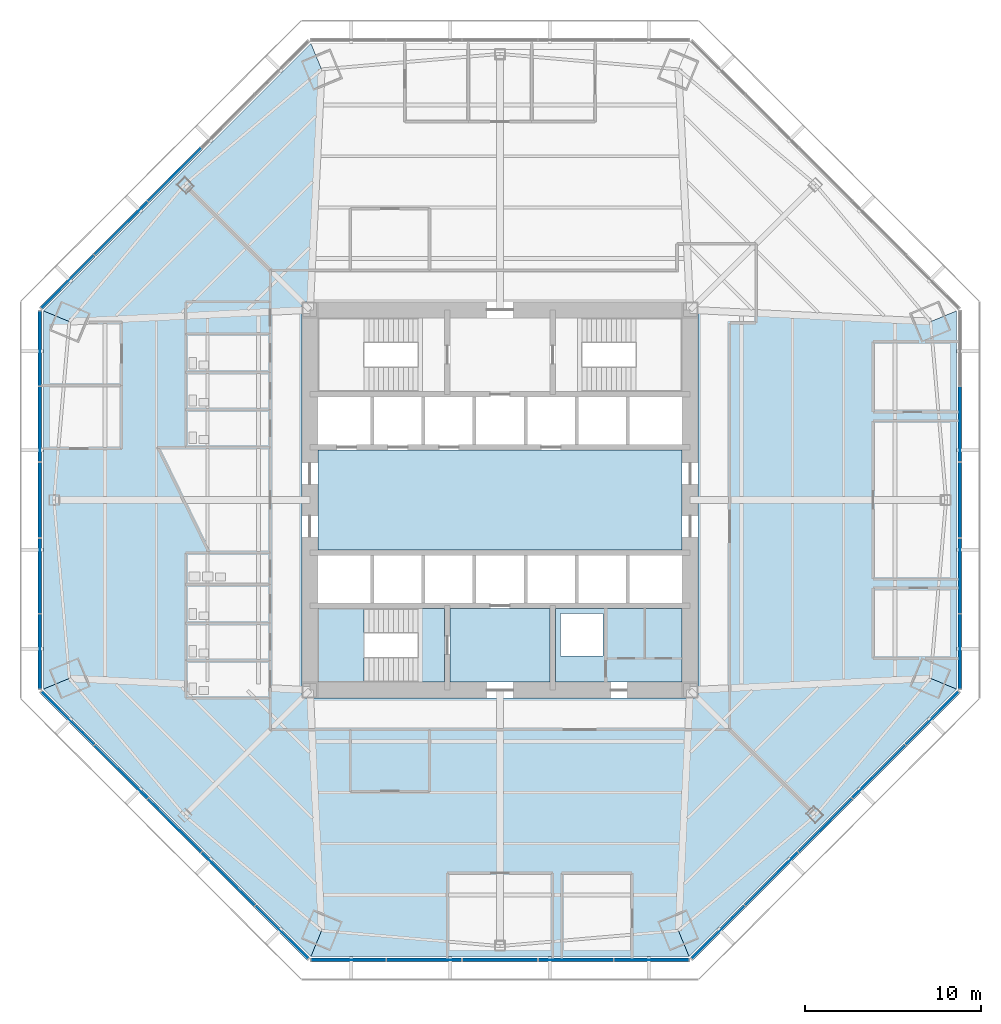
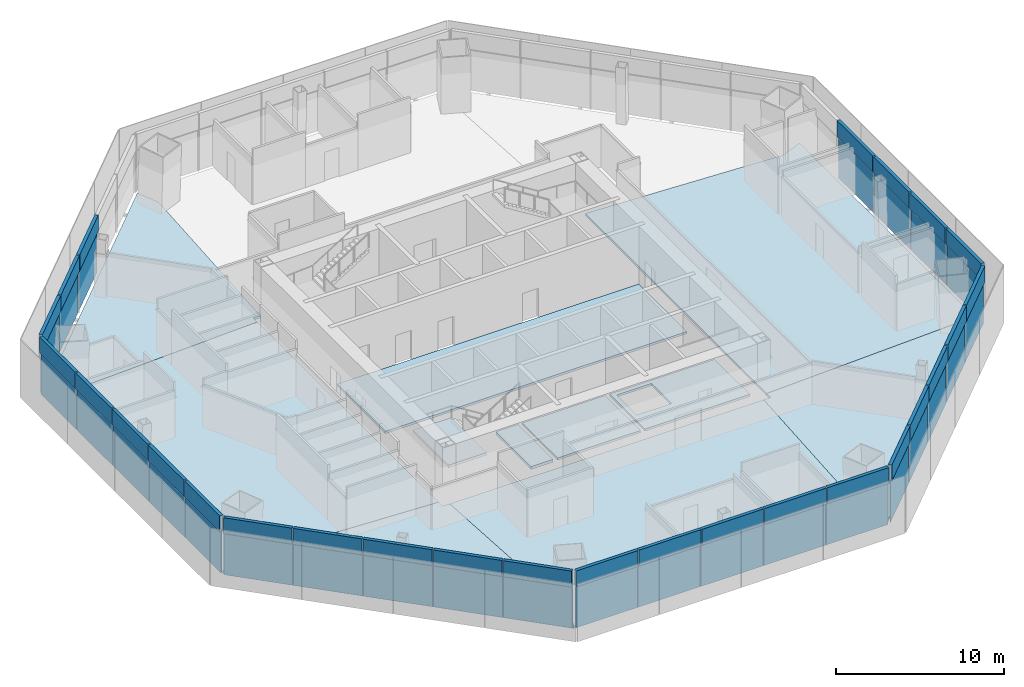
# One storey, part 7 of 15: 54 plates, 11 slabs, 7 elements without a shape of their own.
"""IFC4 building model written with IfcOpenShell, lengths in metres."""

from ifc_helpers import new_model, si_unit, direction, frame, origin, origin_2d, place, context, subcontext, project, spatial, polyline, rectangle, outline, extrude, source, transform, mapped, material, layer, layer_set, type_object, type_shapes, element, aggregate, save


model = new_model("IFC4")

# Units and contexts
model_context = context("Model", 3, precision=1e-05, world=origin(), true_north=direction((0.0, 1.0)))
body_context = subcontext(model_context, "Body", "Model", "MODEL_VIEW")
ifc_project = project(units=[si_unit("LENGTHUNIT", "METRE"), si_unit("AREAUNIT", "SQUARE_METRE"), si_unit("VOLUMEUNIT", "CUBIC_METRE"), si_unit("PLANEANGLEUNIT", "RADIAN"), si_unit("MASSUNIT", "GRAM", prefix="KILO")], contexts=[model_context])

# Site, building, storey
site_placement = place(None, origin())
site = spatial("IfcSite", under=ifc_project, at=site_placement, CompositionType="ELEMENT")
building_placement = place(site_placement, origin())
building = spatial("IfcBuilding", under=site, at=building_placement, Name="Mashrafa Tower", CompositionType="ELEMENT")
storey_placement = place(building_placement, frame((0.0, 0.0, 66.60009765625)))
storey = spatial("IfcBuildingStorey", under=building, at=storey_placement, Name="L14", CompositionType="ELEMENT", Elevation=66.60009765625)

# Slabs
ifc_material_1 = material(Name="Concrete C35/45", Category="concrete")
ifc_layer_1 = layer(ifc_material_1, 0.1650390625)
ifc_layer_set_1 = layer_set([ifc_layer_1], Name="Floor slab 165")
slab_type_1 = type_object("IfcSlabType", Name="Floor slab 165", PredefinedType="FLOOR", material=ifc_layer_set_1)
slab_1_placement = place(storey_placement, frame((0.0, 0.0, -0.1650390625)))
element("IfcSlab", 1, at=slab_1_placement, inside=storey, type_object=slab_type_1, Name="Floor slab L14 east bay", PredefinedType="FLOOR", context=body_context, shape_type="SweptSolid", body=[
    extrude(outline(polyline([(25.9306640625, -10.74072265625), (24.457275390625, -10.130615234375), (11.25, -10.77783203125), (11.25, 10.77783203125), (24.457275390625, 10.130615234375), (25.9306640625, 10.74072265625), (25.9306640625, -10.74072265625)])), origin(), (0.0, 0.0, 1.0), 0.1650390625),
])
slab_2_placement = place(storey_placement, frame((0.0, 0.0, -0.1650390625)))
element("IfcSlab", 2, at=slab_2_placement, inside=storey, type_object=slab_type_1, Name="Floor slab L14 north-west bay", PredefinedType="FLOOR", context=body_context, shape_type="SweptSolid", body=[
    extrude(outline(polyline([(-25.9306640625, 10.740966796875), (-10.740966796875, 25.9306640625), (-10.74072265625, 25.9306640625), (-10.130615234375, 24.457275390625), (-10.77783203125, 11.25), (-11.25, 11.25), (-11.25, 10.77783203125), (-24.457275390625, 10.130615234375), (-25.9306640625, 10.74072265625), (-25.9306640625, 10.740966796875)])), origin(), (0.0, 0.0, 1.0), 0.1650390625),
])
slab_3_placement = place(storey_placement, frame((0.0, 0.0, -0.1650390625)))
element("IfcSlab", 3, at=slab_3_placement, inside=storey, type_object=slab_type_1, Name="Floor slab L14 west bay", PredefinedType="FLOOR", context=body_context, shape_type="SweptSolid", body=[
    extrude(outline(polyline([(-25.9306640625, 10.74072265625), (-24.457275390625, 10.130615234375), (-11.25, 10.77783203125), (-11.25, -10.77783203125), (-24.457275390625, -10.130615234375), (-25.9306640625, -10.74072265625), (-25.9306640625, 10.74072265625)])), origin(), (0.0, 0.0, 1.0), 0.1650390625),
])
slab_4_placement = place(storey_placement, frame((0.0, 0.0, -0.1650390625)))
element("IfcSlab", 4, at=slab_4_placement, inside=storey, type_object=slab_type_1, Name="Floor slab L14 south-west bay", PredefinedType="FLOOR", context=body_context, shape_type="SweptSolid", body=[
    extrude(outline(polyline([(-10.740966796875, -25.9306640625), (-25.9306640625, -10.740966796875), (-25.9306640625, -10.74072265625), (-24.457275390625, -10.130615234375), (-11.25, -10.77783203125), (-11.25, -11.25), (-10.77783203125, -11.25), (-10.130615234375, -24.457275390625), (-10.74072265625, -25.9306640625), (-10.740966796875, -25.9306640625)])), origin(), (0.0, 0.0, 1.0), 0.1650390625),
])
slab_5_placement = place(storey_placement, frame((0.0, 0.0, -0.1650390625)))
element("IfcSlab", 5, at=slab_5_placement, inside=storey, type_object=slab_type_1, Name="Floor slab L14 south bay", PredefinedType="FLOOR", context=body_context, shape_type="SweptSolid", body=[
    extrude(outline(polyline([(-10.74072265625, -25.9306640625), (-10.130615234375, -24.457275390625), (-10.77783203125, -11.25), (10.77783203125, -11.25), (10.130615234375, -24.457275390625), (10.74072265625, -25.9306640625), (-10.74072265625, -25.9306640625)])), origin(), (0.0, 0.0, 1.0), 0.1650390625),
])
slab_6_placement = place(storey_placement, frame((0.0, 0.0, -0.1650390625)))
element("IfcSlab", 6, at=slab_6_placement, inside=storey, type_object=slab_type_1, Name="Floor slab L14 south-east bay", PredefinedType="FLOOR", context=body_context, shape_type="SweptSolid", body=[
    extrude(outline(polyline([(10.74072265625, -25.9306640625), (10.130615234375, -24.457275390625), (10.77783203125, -11.25), (11.25, -11.25), (11.25, -10.77783203125), (24.457275390625, -10.130615234375), (25.9306640625, -10.74072265625), (25.9306640625, -10.740966796875), (10.740966796875, -25.9306640625), (10.74072265625, -25.9306640625)])), origin(), (0.0, 0.0, 1.0), 0.1650390625),
])
slab_7_placement = place(storey_placement, frame((0.0, 0.0, -0.1650390625)))
element("IfcSlab", 7, at=slab_7_placement, inside=storey, type_object=slab_type_1, Name="Core floor lift hall L14", PredefinedType="FLOOR", context=body_context, shape_type="SweptSolid", body=[
    extrude(outline(polyline([(-10.35009765625, 2.85009765625), (10.35009765625, 2.85009765625), (10.35009765625, -2.85009765625), (-10.35009765625, -2.85009765625), (-10.35009765625, 2.85009765625)])), origin(), (0.0, 0.0, 1.0), 0.1650390625),
])
slab_8_placement = place(storey_placement, frame((0.0, 0.0, -0.1650390625)))
element("IfcSlab", 8, at=slab_8_placement, inside=storey, type_object=slab_type_1, Name="Core floor riser and electrical band L14", PredefinedType="FLOOR", context=body_context, shape_type="SweptSolid", body=[
    extrude(outline(polyline([(10.35009765625, -6.14990234375), (10.35009765625, -10.35009765625), (3.14990234375, -10.35009765625), (3.14990234375, -6.14990234375), (10.35009765625, -6.14990234375)]), holes=[polyline([(3.449951171875, -8.85009765625), (5.85009765625, -8.85009765625), (5.85009765625, -6.449951171875), (3.449951171875, -6.449951171875), (3.449951171875, -8.85009765625)])]), origin(), (0.0, 0.0, 1.0), 0.1650390625),
])
slab_9_placement = place(storey_placement, frame((0.0, 0.0, -0.1650390625)))
element("IfcSlab", 9, at=slab_9_placement, inside=storey, type_object=slab_type_1, Name="Core floor fire-fighting lobby south L14", PredefinedType="FLOOR", context=body_context, shape_type="SweptSolid", body=[
    extrude(outline(polyline([(2.85009765625, -6.14990234375), (2.85009765625, -10.35009765625), (-2.85009765625, -10.35009765625), (-2.85009765625, -6.14990234375), (2.85009765625, -6.14990234375)])), origin(), (0.0, 0.0, 1.0), 0.1650390625),
])

# Stair, slabs
ifc_material_2 = material(Name="Exit stair 1400")
stair_type = type_object("IfcStairType", Name="Exit stair 1400", PredefinedType="HALF_TURN_STAIR", material=ifc_material_2)
stair_placement = place(storey_placement, origin())
stair = element("IfcStair", 10, at=stair_placement, inside=storey, type_object=stair_type, Name="Stair S3 L14", PredefinedType="HALF_TURN_STAIR")
ifc_material_3 = material(Name="Concrete C32/40", Category="concrete")
ifc_layer_2 = layer(ifc_material_3, 0.199951171875)
ifc_layer_set_2 = layer_set([ifc_layer_2], Name="Stair landing 200")
slab_type_2 = type_object("IfcSlabType", Name="Stair landing 200", PredefinedType="LANDING", material=ifc_layer_set_2)
slab_10_placement = place(storey_placement, frame((0.0, 0.0, -0.2001953125)))
slab_10 = element("IfcSlab", 11, at=slab_10_placement, type_object=slab_type_2, Name="S3 landing 1", PredefinedType="LANDING", context=body_context, shape_type="SweptSolid", body=[
    extrude(outline(polyline([(-4.659912109375, -10.35009765625), (-3.14990234375, -10.35009765625), (-3.14990234375, -6.14990234375), (-4.659912109375, -6.14990234375), (-4.659912109375, -10.35009765625)])), origin(), (0.0, 0.0, 1.0), 0.2001953125),
])
slab_11_placement = place(storey_placement, frame((0.0, 0.0, 1.89990234375)))
slab_11 = element("IfcSlab", 12, at=slab_11_placement, type_object=slab_type_2, Name="S3 landing 2", PredefinedType="LANDING", context=body_context, shape_type="SweptSolid", body=[
    extrude(outline(polyline([(-10.35009765625, -10.35009765625), (-7.719970703125, -10.35009765625), (-7.719970703125, -6.14990234375), (-10.35009765625, -6.14990234375), (-10.35009765625, -10.35009765625)])), origin(), (0.0, 0.0, 1.0), 0.199951171875),
])
aggregate(stair, [slab_10, slab_11])

# Curtain wall, plate
ifc_material_4 = material(Name="Unitised aluminium curtain wall", Category="aluminium")
curtain_wall_type = type_object("IfcCurtainWallType", Name="Office curtain wall, zone 1 CW-A 200 deep", PredefinedType="NOTDEFINED", material=ifc_material_4)
curtain_wall_1_placement = place(storey_placement, origin())
curtain_wall_1 = element("IfcCurtainWall", 13, at=curtain_wall_1_placement, inside=storey, type_object=curtain_wall_type, Name="Office curtain wall, zone 1 L14 east", PredefinedType="NOTDEFINED")
ifc_material_5 = material(Name="Insulated double glazing, low-e, neutral", Category="glass")
ifc_layer_3 = layer(ifc_material_5, 0.028076171875)
ifc_layer_set_3 = layer_set([ifc_layer_3], Name="Vision panel CW-A 28")
plate_type_1 = type_object("IfcPlateType", Name="Vision panel CW-A 28", PredefinedType="CURTAIN_PANEL", material=ifc_layer_set_3)
shared_shape_1 = source(origin(), body_context, "Body", "SweptSolid", [
    extrude(rectangle(XDim=4.21142578125, YDim=0.028076171875, at=origin_2d()), origin(), (0.0, 0.0, 1.0), 2.9599609375),
])
plate_1_placement = place(storey_placement, frame((26.130615234375, -8.6015625, 0.0), z_axis=(0.0, 0.0, 1.0), x_axis=(0.0, 1.0, 0.0)))
plate_1 = element("IfcPlate", 14, at=plate_1_placement, type_object=plate_type_1, Name="CW-A vision panel 1", PredefinedType="CURTAIN_PANEL", context=body_context, shape_type="MappedRepresentation", body=[
    mapped(shared_shape_1, transform((0.0, 0.0, 0.0))),
])

curtain_wall_2_placement = place(storey_placement, origin())
curtain_wall_2 = element("IfcCurtainWall", 15, at=curtain_wall_2_placement, inside=storey, type_object=curtain_wall_type, Name="Office curtain wall, zone 1 L14 north-west", PredefinedType="NOTDEFINED")
plate_2_placement = place(storey_placement, frame((-24.559326171875, 12.39501953125, 0.0), z_axis=(0.0, 0.0, 1.0), x_axis=(-0.707106781187, -0.707106781187, 0.0)))
plate_2 = element("IfcPlate", 16, at=plate_2_placement, type_object=plate_type_1, Name="CW-A vision panel 5", PredefinedType="CURTAIN_PANEL", context=body_context, shape_type="MappedRepresentation", body=[
    mapped(shared_shape_1, transform((0.0, 0.0, 0.0))),
])

# Curtain wall, plates
curtain_wall_3_placement = place(storey_placement, origin())
curtain_wall_3 = element("IfcCurtainWall", 17, at=curtain_wall_3_placement, inside=storey, type_object=curtain_wall_type, Name="Office curtain wall, zone 1 L14 west", PredefinedType="NOTDEFINED")
plate_3_placement = place(storey_placement, frame((-26.130615234375, 8.6015625, 0.0), z_axis=(0.0, 0.0, 1.0), x_axis=(0.0, -1.0, 0.0)))
plate_3 = element("IfcPlate", 18, at=plate_3_placement, type_object=plate_type_1, Name="CW-A vision panel 1", PredefinedType="CURTAIN_PANEL", context=body_context, shape_type="MappedRepresentation", body=[
    mapped(shared_shape_1, transform((0.0, 0.0, 0.0))),
])
plate_4_placement = place(storey_placement, frame((-26.130615234375, -8.6015625, 0.0), z_axis=(0.0, 0.0, 1.0), x_axis=(0.0, -1.0, 0.0)))
plate_4 = element("IfcPlate", 19, at=plate_4_placement, type_object=plate_type_1, Name="CW-A vision panel 5", PredefinedType="CURTAIN_PANEL", context=body_context, shape_type="MappedRepresentation", body=[
    mapped(shared_shape_1, transform((0.0, 0.0, 0.0))),
])

curtain_wall_4_placement = place(storey_placement, origin())
curtain_wall_4 = element("IfcCurtainWall", 20, at=curtain_wall_4_placement, inside=storey, type_object=curtain_wall_type, Name="Office curtain wall, zone 1 L14 south-west", PredefinedType="NOTDEFINED")
plate_5_placement = place(storey_placement, frame((-24.559326171875, -12.39501953125, 0.0), z_axis=(0.0, 0.0, 1.0), x_axis=(0.707106781187, -0.707106781187, 0.0)))
plate_5 = element("IfcPlate", 21, at=plate_5_placement, type_object=plate_type_1, Name="CW-A vision panel 1", PredefinedType="CURTAIN_PANEL", context=body_context, shape_type="MappedRepresentation", body=[
    mapped(shared_shape_1, transform((0.0, 0.0, 0.0))),
])
plate_6_placement = place(storey_placement, frame((-12.39501953125, -24.559326171875, 0.0), z_axis=(0.0, 0.0, 1.0), x_axis=(0.707106781187, -0.707106781187, 0.0)))
plate_6 = element("IfcPlate", 22, at=plate_6_placement, type_object=plate_type_1, Name="CW-A vision panel 5", PredefinedType="CURTAIN_PANEL", context=body_context, shape_type="MappedRepresentation", body=[
    mapped(shared_shape_1, transform((0.0, 0.0, 0.0))),
])

curtain_wall_5_placement = place(storey_placement, origin())
curtain_wall_5 = element("IfcCurtainWall", 23, at=curtain_wall_5_placement, inside=storey, type_object=curtain_wall_type, Name="Office curtain wall, zone 1 L14 south", PredefinedType="NOTDEFINED")
plate_7_placement = place(storey_placement, frame((-8.6015625, -26.130615234375, 0.0), z_axis=(0.0, 0.0, 1.0), x_axis=(1.0, 0.0, 0.0)))
plate_7 = element("IfcPlate", 24, at=plate_7_placement, type_object=plate_type_1, Name="CW-A vision panel 1", PredefinedType="CURTAIN_PANEL", context=body_context, shape_type="MappedRepresentation", body=[
    mapped(shared_shape_1, transform((0.0, 0.0, 0.0))),
])
plate_8_placement = place(storey_placement, frame((8.6015625, -26.130615234375, 0.0), z_axis=(0.0, 0.0, 1.0), x_axis=(1.0, 0.0, 0.0)))
plate_8 = element("IfcPlate", 25, at=plate_8_placement, type_object=plate_type_1, Name="CW-A vision panel 5", PredefinedType="CURTAIN_PANEL", context=body_context, shape_type="MappedRepresentation", body=[
    mapped(shared_shape_1, transform((0.0, 0.0, 0.0))),
])

curtain_wall_6_placement = place(storey_placement, origin())
curtain_wall_6 = element("IfcCurtainWall", 26, at=curtain_wall_6_placement, inside=storey, type_object=curtain_wall_type, Name="Office curtain wall, zone 1 L14 south-east", PredefinedType="NOTDEFINED")
plate_9_placement = place(storey_placement, frame((12.39501953125, -24.559326171875, 0.0), z_axis=(0.0, 0.0, 1.0), x_axis=(0.707106781187, 0.707106781187, 0.0)))
plate_9 = element("IfcPlate", 27, at=plate_9_placement, type_object=plate_type_1, Name="CW-A vision panel 1", PredefinedType="CURTAIN_PANEL", context=body_context, shape_type="MappedRepresentation", body=[
    mapped(shared_shape_1, transform((0.0, 0.0, 0.0))),
])
plate_10_placement = place(storey_placement, frame((24.559326171875, -12.39501953125, 0.0), z_axis=(0.0, 0.0, 1.0), x_axis=(0.707106781187, 0.707106781187, 0.0)))
plate_10 = element("IfcPlate", 28, at=plate_10_placement, type_object=plate_type_1, Name="CW-A vision panel 5", PredefinedType="CURTAIN_PANEL", context=body_context, shape_type="MappedRepresentation", body=[
    mapped(shared_shape_1, transform((0.0, 0.0, 0.0))),
])

# Plate
ifc_material_6 = material(Name="Insulated aluminium spandrel panel", Category="aluminium")
ifc_layer_4 = layer(ifc_material_6, 0.219970703125)
ifc_layer_set_4 = layer_set([ifc_layer_4], Name="Spandrel panel CW-A 220")
plate_type_2 = type_object("IfcPlateType", Name="Spandrel panel CW-A 220", PredefinedType="CURTAIN_PANEL", material=ifc_layer_set_4)
shared_shape_2 = source(origin(), body_context, "Body", "SweptSolid", [
    extrude(rectangle(XDim=4.21142578125, YDim=0.219970703125, at=origin_2d()), origin(), (0.0, 0.0, 1.0), 1.159912109375),
])
plate_11_placement = place(storey_placement, frame((26.130615234375, -8.6015625, 3.0400390625), z_axis=(0.0, 0.0, 1.0), x_axis=(0.0, 1.0, 0.0)))
plate_11 = element("IfcPlate", 29, at=plate_11_placement, type_object=plate_type_2, Name="CW-A spandrel panel 1", PredefinedType="CURTAIN_PANEL", context=body_context, shape_type="MappedRepresentation", body=[
    mapped(shared_shape_2, transform((0.0, 0.0, 0.0))),
])

plate_12_placement = place(storey_placement, frame((-24.559326171875, 12.39501953125, 3.0400390625), z_axis=(0.0, 0.0, 1.0), x_axis=(-0.707106781187, -0.707106781187, 0.0)))
plate_12 = element("IfcPlate", 30, at=plate_12_placement, type_object=plate_type_2, Name="CW-A spandrel panel 5", PredefinedType="CURTAIN_PANEL", context=body_context, shape_type="MappedRepresentation", body=[
    mapped(shared_shape_2, transform((0.0, 0.0, 0.0))),
])

plate_13_placement = place(storey_placement, frame((-26.130615234375, 8.6015625, 3.0400390625), z_axis=(0.0, 0.0, 1.0), x_axis=(0.0, -1.0, 0.0)))
plate_13 = element("IfcPlate", 31, at=plate_13_placement, type_object=plate_type_2, Name="CW-A spandrel panel 1", PredefinedType="CURTAIN_PANEL", context=body_context, shape_type="MappedRepresentation", body=[
    mapped(shared_shape_2, transform((0.0, 0.0, 0.0))),
])

plate_14_placement = place(storey_placement, frame((-26.130615234375, -8.6015625, 3.0400390625), z_axis=(0.0, 0.0, 1.0), x_axis=(0.0, -1.0, 0.0)))
plate_14 = element("IfcPlate", 32, at=plate_14_placement, type_object=plate_type_2, Name="CW-A spandrel panel 5", PredefinedType="CURTAIN_PANEL", context=body_context, shape_type="MappedRepresentation", body=[
    mapped(shared_shape_2, transform((0.0, 0.0, 0.0))),
])

plate_15_placement = place(storey_placement, frame((-24.559326171875, -12.39501953125, 3.0400390625), z_axis=(0.0, 0.0, 1.0), x_axis=(0.707106781187, -0.707106781187, 0.0)))
plate_15 = element("IfcPlate", 33, at=plate_15_placement, type_object=plate_type_2, Name="CW-A spandrel panel 1", PredefinedType="CURTAIN_PANEL", context=body_context, shape_type="MappedRepresentation", body=[
    mapped(shared_shape_2, transform((0.0, 0.0, 0.0))),
])

plate_16_placement = place(storey_placement, frame((-12.39501953125, -24.559326171875, 3.0400390625), z_axis=(0.0, 0.0, 1.0), x_axis=(0.707106781187, -0.707106781187, 0.0)))
plate_16 = element("IfcPlate", 34, at=plate_16_placement, type_object=plate_type_2, Name="CW-A spandrel panel 5", PredefinedType="CURTAIN_PANEL", context=body_context, shape_type="MappedRepresentation", body=[
    mapped(shared_shape_2, transform((0.0, 0.0, 0.0))),
])

plate_17_placement = place(storey_placement, frame((-8.6015625, -26.130615234375, 3.0400390625), z_axis=(0.0, 0.0, 1.0), x_axis=(1.0, 0.0, 0.0)))
plate_17 = element("IfcPlate", 35, at=plate_17_placement, type_object=plate_type_2, Name="CW-A spandrel panel 1", PredefinedType="CURTAIN_PANEL", context=body_context, shape_type="MappedRepresentation", body=[
    mapped(shared_shape_2, transform((0.0, 0.0, 0.0))),
])

plate_18_placement = place(storey_placement, frame((8.6015625, -26.130615234375, 3.0400390625), z_axis=(0.0, 0.0, 1.0), x_axis=(1.0, 0.0, 0.0)))
plate_18 = element("IfcPlate", 36, at=plate_18_placement, type_object=plate_type_2, Name="CW-A spandrel panel 5", PredefinedType="CURTAIN_PANEL", context=body_context, shape_type="MappedRepresentation", body=[
    mapped(shared_shape_2, transform((0.0, 0.0, 0.0))),
])

plate_19_placement = place(storey_placement, frame((12.39501953125, -24.559326171875, 3.0400390625), z_axis=(0.0, 0.0, 1.0), x_axis=(0.707106781187, 0.707106781187, 0.0)))
plate_19 = element("IfcPlate", 37, at=plate_19_placement, type_object=plate_type_2, Name="CW-A spandrel panel 1", PredefinedType="CURTAIN_PANEL", context=body_context, shape_type="MappedRepresentation", body=[
    mapped(shared_shape_2, transform((0.0, 0.0, 0.0))),
])

plate_20_placement = place(storey_placement, frame((24.559326171875, -12.39501953125, 3.0400390625), z_axis=(0.0, 0.0, 1.0), x_axis=(0.707106781187, 0.707106781187, 0.0)))
plate_20 = element("IfcPlate", 38, at=plate_20_placement, type_object=plate_type_2, Name="CW-A spandrel panel 5", PredefinedType="CURTAIN_PANEL", context=body_context, shape_type="MappedRepresentation", body=[
    mapped(shared_shape_2, transform((0.0, 0.0, 0.0))),
])

shared_shape_3 = source(origin(), body_context, "Body", "SweptSolid", [
    extrude(rectangle(XDim=4.243896484375, YDim=0.028076171875, at=origin_2d()), origin(), (0.0, 0.0, 1.0), 2.9599609375),
])
type_shapes(plate_type_1, [shared_shape_1, shared_shape_3])
plate_21_placement = place(storey_placement, frame((26.130615234375, -4.308837890625, 0.0), z_axis=(0.0, 0.0, 1.0), x_axis=(0.0, 1.0, 0.0)))
plate_21 = element("IfcPlate", 39, at=plate_21_placement, type_object=plate_type_1, Name="CW-A vision panel 2", PredefinedType="CURTAIN_PANEL", context=body_context, shape_type="MappedRepresentation", body=[
    mapped(shared_shape_3, transform((0.0, 0.0, 0.0))),
])

plate_22_placement = place(storey_placement, frame((26.130615234375, 0.0, 0.0), z_axis=(0.0, 0.0, 1.0), x_axis=(0.0, 1.0, 0.0)))
plate_22 = element("IfcPlate", 40, at=plate_22_placement, type_object=plate_type_1, Name="CW-A vision panel 3", PredefinedType="CURTAIN_PANEL", context=body_context, shape_type="MappedRepresentation", body=[
    mapped(shared_shape_3, transform((0.0, 0.0, 0.0))),
])

plate_23_placement = place(storey_placement, frame((26.130615234375, 4.308837890625, 0.0), z_axis=(0.0, 0.0, 1.0), x_axis=(0.0, 1.0, 0.0)))
plate_23 = element("IfcPlate", 41, at=plate_23_placement, type_object=plate_type_1, Name="CW-A vision panel 4", PredefinedType="CURTAIN_PANEL", context=body_context, shape_type="MappedRepresentation", body=[
    mapped(shared_shape_3, transform((0.0, 0.0, 0.0))),
])

plate_24_placement = place(storey_placement, frame((-18.477294921875, 18.477294921875, 0.0), z_axis=(0.0, 0.0, 1.0), x_axis=(-0.707106781187, -0.707106781187, 0.0)))
plate_24 = element("IfcPlate", 42, at=plate_24_placement, type_object=plate_type_1, Name="CW-A vision panel 3", PredefinedType="CURTAIN_PANEL", context=body_context, shape_type="MappedRepresentation", body=[
    mapped(shared_shape_3, transform((0.0, 0.0, 0.0))),
])

plate_25_placement = place(storey_placement, frame((-21.524169921875, 15.430419921875, 0.0), z_axis=(0.0, 0.0, 1.0), x_axis=(-0.707106781187, -0.707106781187, 0.0)))
plate_25 = element("IfcPlate", 43, at=plate_25_placement, type_object=plate_type_1, Name="CW-A vision panel 4", PredefinedType="CURTAIN_PANEL", context=body_context, shape_type="MappedRepresentation", body=[
    mapped(shared_shape_3, transform((0.0, 0.0, 0.0))),
])

plate_26_placement = place(storey_placement, frame((-26.130615234375, 4.308837890625, 0.0), z_axis=(0.0, 0.0, 1.0), x_axis=(0.0, -1.0, 0.0)))
plate_26 = element("IfcPlate", 44, at=plate_26_placement, type_object=plate_type_1, Name="CW-A vision panel 2", PredefinedType="CURTAIN_PANEL", context=body_context, shape_type="MappedRepresentation", body=[
    mapped(shared_shape_3, transform((0.0, 0.0, 0.0))),
])

plate_27_placement = place(storey_placement, frame((-26.130615234375, 0.0, 0.0), z_axis=(0.0, 0.0, 1.0), x_axis=(0.0, -1.0, 0.0)))
plate_27 = element("IfcPlate", 45, at=plate_27_placement, type_object=plate_type_1, Name="CW-A vision panel 3", PredefinedType="CURTAIN_PANEL", context=body_context, shape_type="MappedRepresentation", body=[
    mapped(shared_shape_3, transform((0.0, 0.0, 0.0))),
])

plate_28_placement = place(storey_placement, frame((-26.130615234375, -4.308837890625, 0.0), z_axis=(0.0, 0.0, 1.0), x_axis=(0.0, -1.0, 0.0)))
plate_28 = element("IfcPlate", 46, at=plate_28_placement, type_object=plate_type_1, Name="CW-A vision panel 4", PredefinedType="CURTAIN_PANEL", context=body_context, shape_type="MappedRepresentation", body=[
    mapped(shared_shape_3, transform((0.0, 0.0, 0.0))),
])

plate_29_placement = place(storey_placement, frame((-21.524169921875, -15.430419921875, 0.0), z_axis=(0.0, 0.0, 1.0), x_axis=(0.707106781187, -0.707106781187, 0.0)))
plate_29 = element("IfcPlate", 47, at=plate_29_placement, type_object=plate_type_1, Name="CW-A vision panel 2", PredefinedType="CURTAIN_PANEL", context=body_context, shape_type="MappedRepresentation", body=[
    mapped(shared_shape_3, transform((0.0, 0.0, 0.0))),
])

plate_30_placement = place(storey_placement, frame((-18.477294921875, -18.477294921875, 0.0), z_axis=(0.0, 0.0, 1.0), x_axis=(0.707106781187, -0.707106781187, 0.0)))
plate_30 = element("IfcPlate", 48, at=plate_30_placement, type_object=plate_type_1, Name="CW-A vision panel 3", PredefinedType="CURTAIN_PANEL", context=body_context, shape_type="MappedRepresentation", body=[
    mapped(shared_shape_3, transform((0.0, 0.0, 0.0))),
])

plate_31_placement = place(storey_placement, frame((-15.430419921875, -21.524169921875, 0.0), z_axis=(0.0, 0.0, 1.0), x_axis=(0.707106781187, -0.707106781187, 0.0)))
plate_31 = element("IfcPlate", 49, at=plate_31_placement, type_object=plate_type_1, Name="CW-A vision panel 4", PredefinedType="CURTAIN_PANEL", context=body_context, shape_type="MappedRepresentation", body=[
    mapped(shared_shape_3, transform((0.0, 0.0, 0.0))),
])

plate_32_placement = place(storey_placement, frame((-4.308837890625, -26.130615234375, 0.0), z_axis=(0.0, 0.0, 1.0), x_axis=(1.0, 0.0, 0.0)))
plate_32 = element("IfcPlate", 50, at=plate_32_placement, type_object=plate_type_1, Name="CW-A vision panel 2", PredefinedType="CURTAIN_PANEL", context=body_context, shape_type="MappedRepresentation", body=[
    mapped(shared_shape_3, transform((0.0, 0.0, 0.0))),
])

plate_33_placement = place(storey_placement, frame((0.0, -26.130615234375, 0.0), z_axis=(0.0, 0.0, 1.0), x_axis=(1.0, 0.0, 0.0)))
plate_33 = element("IfcPlate", 51, at=plate_33_placement, type_object=plate_type_1, Name="CW-A vision panel 3", PredefinedType="CURTAIN_PANEL", context=body_context, shape_type="MappedRepresentation", body=[
    mapped(shared_shape_3, transform((0.0, 0.0, 0.0))),
])

plate_34_placement = place(storey_placement, frame((4.308837890625, -26.130615234375, 0.0), z_axis=(0.0, 0.0, 1.0), x_axis=(1.0, 0.0, 0.0)))
plate_34 = element("IfcPlate", 52, at=plate_34_placement, type_object=plate_type_1, Name="CW-A vision panel 4", PredefinedType="CURTAIN_PANEL", context=body_context, shape_type="MappedRepresentation", body=[
    mapped(shared_shape_3, transform((0.0, 0.0, 0.0))),
])

plate_35_placement = place(storey_placement, frame((15.430419921875, -21.524169921875, 0.0), z_axis=(0.0, 0.0, 1.0), x_axis=(0.707106781187, 0.707106781187, 0.0)))
plate_35 = element("IfcPlate", 53, at=plate_35_placement, type_object=plate_type_1, Name="CW-A vision panel 2", PredefinedType="CURTAIN_PANEL", context=body_context, shape_type="MappedRepresentation", body=[
    mapped(shared_shape_3, transform((0.0, 0.0, 0.0))),
])

plate_36_placement = place(storey_placement, frame((18.477294921875, -18.477294921875, 0.0), z_axis=(0.0, 0.0, 1.0), x_axis=(0.707106781187, 0.707106781187, 0.0)))
plate_36 = element("IfcPlate", 54, at=plate_36_placement, type_object=plate_type_1, Name="CW-A vision panel 3", PredefinedType="CURTAIN_PANEL", context=body_context, shape_type="MappedRepresentation", body=[
    mapped(shared_shape_3, transform((0.0, 0.0, 0.0))),
])

plate_37_placement = place(storey_placement, frame((21.524169921875, -15.430419921875, 0.0), z_axis=(0.0, 0.0, 1.0), x_axis=(0.707106781187, 0.707106781187, 0.0)))
plate_37 = element("IfcPlate", 55, at=plate_37_placement, type_object=plate_type_1, Name="CW-A vision panel 4", PredefinedType="CURTAIN_PANEL", context=body_context, shape_type="MappedRepresentation", body=[
    mapped(shared_shape_3, transform((0.0, 0.0, 0.0))),
])

shared_shape_4 = source(origin(), body_context, "Body", "SweptSolid", [
    extrude(rectangle(XDim=4.243896484375, YDim=0.219970703125, at=origin_2d()), origin(), (0.0, 0.0, 1.0), 1.159912109375),
])
type_shapes(plate_type_2, [shared_shape_2, shared_shape_4])
plate_38_placement = place(storey_placement, frame((26.130615234375, -4.308837890625, 3.0400390625), z_axis=(0.0, 0.0, 1.0), x_axis=(0.0, 1.0, 0.0)))
plate_38 = element("IfcPlate", 56, at=plate_38_placement, type_object=plate_type_2, Name="CW-A spandrel panel 2", PredefinedType="CURTAIN_PANEL", context=body_context, shape_type="MappedRepresentation", body=[
    mapped(shared_shape_4, transform((0.0, 0.0, 0.0))),
])

plate_39_placement = place(storey_placement, frame((26.130615234375, 0.0, 3.0400390625), z_axis=(0.0, 0.0, 1.0), x_axis=(0.0, 1.0, 0.0)))
plate_39 = element("IfcPlate", 57, at=plate_39_placement, type_object=plate_type_2, Name="CW-A spandrel panel 3", PredefinedType="CURTAIN_PANEL", context=body_context, shape_type="MappedRepresentation", body=[
    mapped(shared_shape_4, transform((0.0, 0.0, 0.0))),
])

plate_40_placement = place(storey_placement, frame((26.130615234375, 4.308837890625, 3.0400390625), z_axis=(0.0, 0.0, 1.0), x_axis=(0.0, 1.0, 0.0)))
plate_40 = element("IfcPlate", 58, at=plate_40_placement, type_object=plate_type_2, Name="CW-A spandrel panel 4", PredefinedType="CURTAIN_PANEL", context=body_context, shape_type="MappedRepresentation", body=[
    mapped(shared_shape_4, transform((0.0, 0.0, 0.0))),
])

aggregate(curtain_wall_1, [plate_1, plate_11, plate_21, plate_38, plate_22, plate_39, plate_23, plate_40])

plate_41_placement = place(storey_placement, frame((-18.477294921875, 18.477294921875, 3.0400390625), z_axis=(0.0, 0.0, 1.0), x_axis=(-0.707106781187, -0.707106781187, 0.0)))
plate_41 = element("IfcPlate", 59, at=plate_41_placement, type_object=plate_type_2, Name="CW-A spandrel panel 3", PredefinedType="CURTAIN_PANEL", context=body_context, shape_type="MappedRepresentation", body=[
    mapped(shared_shape_4, transform((0.0, 0.0, 0.0))),
])

plate_42_placement = place(storey_placement, frame((-21.524169921875, 15.430419921875, 3.0400390625), z_axis=(0.0, 0.0, 1.0), x_axis=(-0.707106781187, -0.707106781187, 0.0)))
plate_42 = element("IfcPlate", 60, at=plate_42_placement, type_object=plate_type_2, Name="CW-A spandrel panel 4", PredefinedType="CURTAIN_PANEL", context=body_context, shape_type="MappedRepresentation", body=[
    mapped(shared_shape_4, transform((0.0, 0.0, 0.0))),
])

aggregate(curtain_wall_2, [plate_24, plate_41, plate_25, plate_42, plate_2, plate_12])

plate_43_placement = place(storey_placement, frame((-26.130615234375, 4.308837890625, 3.0400390625), z_axis=(0.0, 0.0, 1.0), x_axis=(0.0, -1.0, 0.0)))
plate_43 = element("IfcPlate", 61, at=plate_43_placement, type_object=plate_type_2, Name="CW-A spandrel panel 2", PredefinedType="CURTAIN_PANEL", context=body_context, shape_type="MappedRepresentation", body=[
    mapped(shared_shape_4, transform((0.0, 0.0, 0.0))),
])

plate_44_placement = place(storey_placement, frame((-26.130615234375, 0.0, 3.0400390625), z_axis=(0.0, 0.0, 1.0), x_axis=(0.0, -1.0, 0.0)))
plate_44 = element("IfcPlate", 62, at=plate_44_placement, type_object=plate_type_2, Name="CW-A spandrel panel 3", PredefinedType="CURTAIN_PANEL", context=body_context, shape_type="MappedRepresentation", body=[
    mapped(shared_shape_4, transform((0.0, 0.0, 0.0))),
])

plate_45_placement = place(storey_placement, frame((-26.130615234375, -4.308837890625, 3.0400390625), z_axis=(0.0, 0.0, 1.0), x_axis=(0.0, -1.0, 0.0)))
plate_45 = element("IfcPlate", 63, at=plate_45_placement, type_object=plate_type_2, Name="CW-A spandrel panel 4", PredefinedType="CURTAIN_PANEL", context=body_context, shape_type="MappedRepresentation", body=[
    mapped(shared_shape_4, transform((0.0, 0.0, 0.0))),
])

aggregate(curtain_wall_3, [plate_3, plate_13, plate_26, plate_43, plate_27, plate_44, plate_28, plate_45, plate_4, plate_14])

plate_46_placement = place(storey_placement, frame((-21.524169921875, -15.430419921875, 3.0400390625), z_axis=(0.0, 0.0, 1.0), x_axis=(0.707106781187, -0.707106781187, 0.0)))
plate_46 = element("IfcPlate", 64, at=plate_46_placement, type_object=plate_type_2, Name="CW-A spandrel panel 2", PredefinedType="CURTAIN_PANEL", context=body_context, shape_type="MappedRepresentation", body=[
    mapped(shared_shape_4, transform((0.0, 0.0, 0.0))),
])

plate_47_placement = place(storey_placement, frame((-18.477294921875, -18.477294921875, 3.0400390625), z_axis=(0.0, 0.0, 1.0), x_axis=(0.707106781187, -0.707106781187, 0.0)))
plate_47 = element("IfcPlate", 65, at=plate_47_placement, type_object=plate_type_2, Name="CW-A spandrel panel 3", PredefinedType="CURTAIN_PANEL", context=body_context, shape_type="MappedRepresentation", body=[
    mapped(shared_shape_4, transform((0.0, 0.0, 0.0))),
])

plate_48_placement = place(storey_placement, frame((-15.430419921875, -21.524169921875, 3.0400390625), z_axis=(0.0, 0.0, 1.0), x_axis=(0.707106781187, -0.707106781187, 0.0)))
plate_48 = element("IfcPlate", 66, at=plate_48_placement, type_object=plate_type_2, Name="CW-A spandrel panel 4", PredefinedType="CURTAIN_PANEL", context=body_context, shape_type="MappedRepresentation", body=[
    mapped(shared_shape_4, transform((0.0, 0.0, 0.0))),
])

aggregate(curtain_wall_4, [plate_5, plate_15, plate_29, plate_46, plate_30, plate_47, plate_31, plate_48, plate_6, plate_16])

plate_49_placement = place(storey_placement, frame((-4.308837890625, -26.130615234375, 3.0400390625), z_axis=(0.0, 0.0, 1.0), x_axis=(1.0, 0.0, 0.0)))
plate_49 = element("IfcPlate", 67, at=plate_49_placement, type_object=plate_type_2, Name="CW-A spandrel panel 2", PredefinedType="CURTAIN_PANEL", context=body_context, shape_type="MappedRepresentation", body=[
    mapped(shared_shape_4, transform((0.0, 0.0, 0.0))),
])

plate_50_placement = place(storey_placement, frame((0.0, -26.130615234375, 3.0400390625), z_axis=(0.0, 0.0, 1.0), x_axis=(1.0, 0.0, 0.0)))
plate_50 = element("IfcPlate", 68, at=plate_50_placement, type_object=plate_type_2, Name="CW-A spandrel panel 3", PredefinedType="CURTAIN_PANEL", context=body_context, shape_type="MappedRepresentation", body=[
    mapped(shared_shape_4, transform((0.0, 0.0, 0.0))),
])

plate_51_placement = place(storey_placement, frame((4.308837890625, -26.130615234375, 3.0400390625), z_axis=(0.0, 0.0, 1.0), x_axis=(1.0, 0.0, 0.0)))
plate_51 = element("IfcPlate", 69, at=plate_51_placement, type_object=plate_type_2, Name="CW-A spandrel panel 4", PredefinedType="CURTAIN_PANEL", context=body_context, shape_type="MappedRepresentation", body=[
    mapped(shared_shape_4, transform((0.0, 0.0, 0.0))),
])

aggregate(curtain_wall_5, [plate_7, plate_17, plate_32, plate_49, plate_33, plate_50, plate_34, plate_51, plate_8, plate_18])

plate_52_placement = place(storey_placement, frame((15.430419921875, -21.524169921875, 3.0400390625), z_axis=(0.0, 0.0, 1.0), x_axis=(0.707106781187, 0.707106781187, 0.0)))
plate_52 = element("IfcPlate", 70, at=plate_52_placement, type_object=plate_type_2, Name="CW-A spandrel panel 2", PredefinedType="CURTAIN_PANEL", context=body_context, shape_type="MappedRepresentation", body=[
    mapped(shared_shape_4, transform((0.0, 0.0, 0.0))),
])

plate_53_placement = place(storey_placement, frame((18.477294921875, -18.477294921875, 3.0400390625), z_axis=(0.0, 0.0, 1.0), x_axis=(0.707106781187, 0.707106781187, 0.0)))
plate_53 = element("IfcPlate", 71, at=plate_53_placement, type_object=plate_type_2, Name="CW-A spandrel panel 3", PredefinedType="CURTAIN_PANEL", context=body_context, shape_type="MappedRepresentation", body=[
    mapped(shared_shape_4, transform((0.0, 0.0, 0.0))),
])

plate_54_placement = place(storey_placement, frame((21.524169921875, -15.430419921875, 3.0400390625), z_axis=(0.0, 0.0, 1.0), x_axis=(0.707106781187, 0.707106781187, 0.0)))
plate_54 = element("IfcPlate", 72, at=plate_54_placement, type_object=plate_type_2, Name="CW-A spandrel panel 4", PredefinedType="CURTAIN_PANEL", context=body_context, shape_type="MappedRepresentation", body=[
    mapped(shared_shape_4, transform((0.0, 0.0, 0.0))),
])

aggregate(curtain_wall_6, [plate_9, plate_19, plate_35, plate_52, plate_36, plate_53, plate_37, plate_54, plate_10, plate_20])

save(model, "model.ifc")
